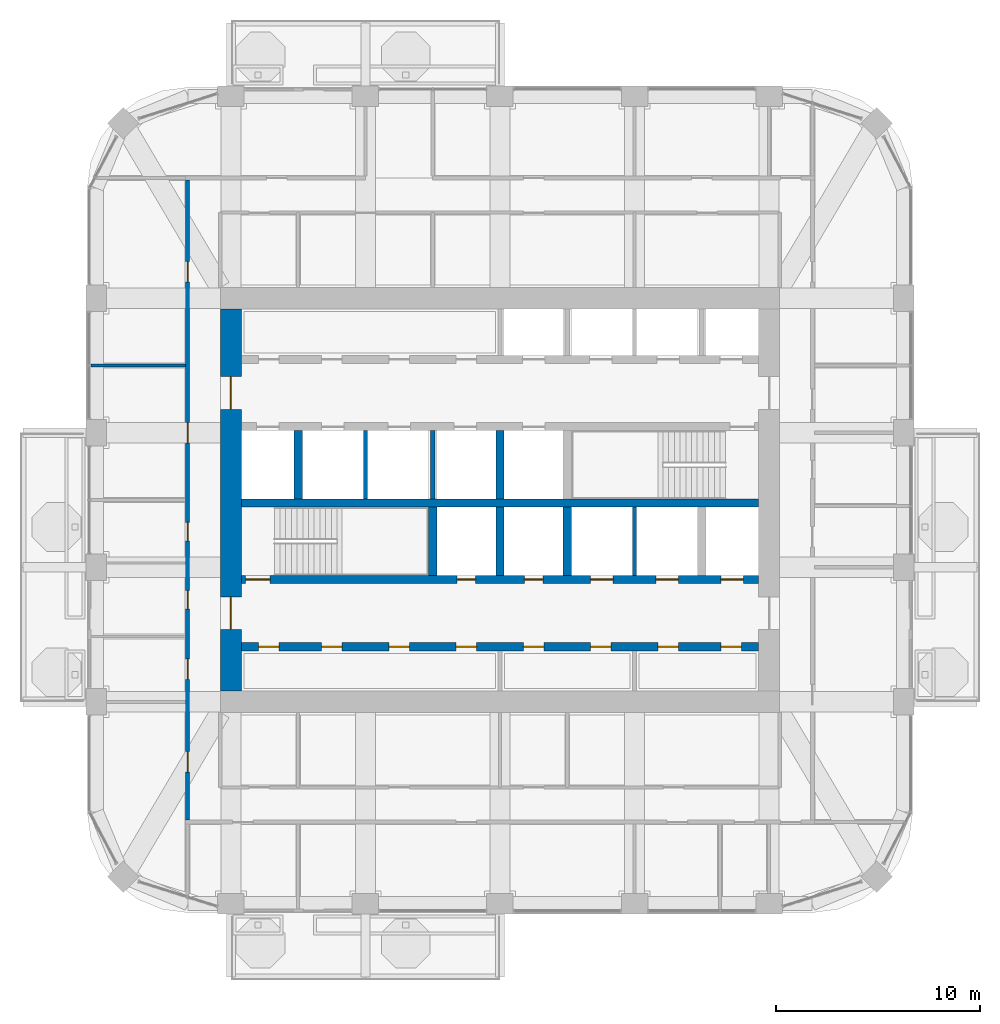
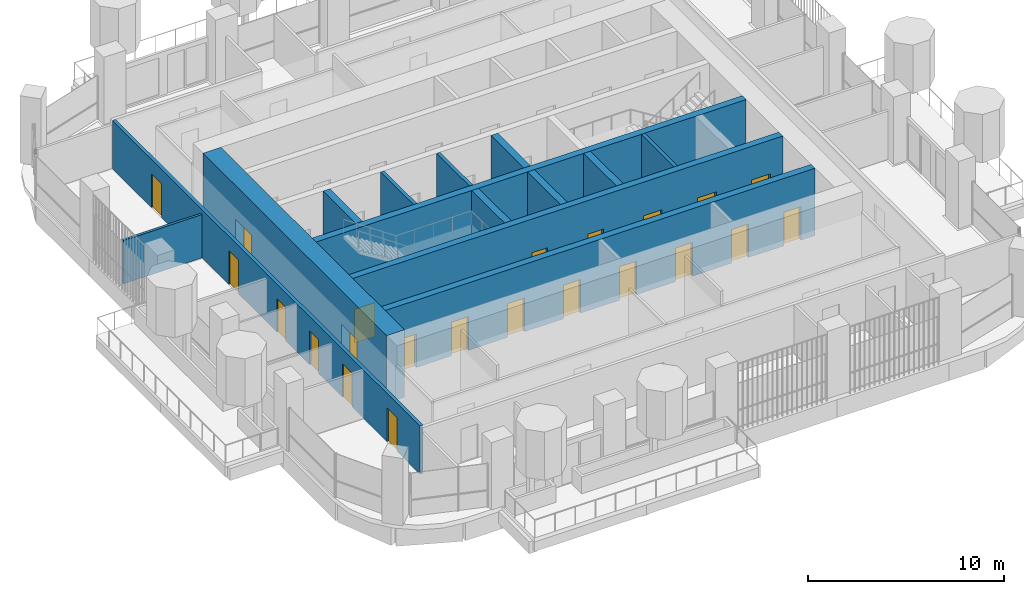
# One storey, part 12 of 19: 22 doors, 14 walls, 22 openings.
"""IFC4 building model written with IfcOpenShell, lengths in metres."""

from ifc_helpers import new_model, si_unit, direction, frame, frame_2d, origin, place, context, subcontext, project, spatial, rectangle, extrude, material, layer, layer_set, type_object, element, fill, save


model = new_model("IFC4")

# Units and contexts
model_context = context("Model", 3, precision=1e-05, world=origin(), true_north=direction((0.0, 1.0)))
body_context = subcontext(model_context, "Body", "Model", "MODEL_VIEW")
ifc_project = project(units=[si_unit("LENGTHUNIT", "METRE"), si_unit("AREAUNIT", "SQUARE_METRE"), si_unit("VOLUMEUNIT", "CUBIC_METRE"), si_unit("PLANEANGLEUNIT", "RADIAN"), si_unit("MASSUNIT", "GRAM", prefix="KILO")], contexts=[model_context])

# Site, building, storey
site_placement = place(None, origin())
site = spatial("IfcSite", under=ifc_project, at=site_placement, CompositionType="ELEMENT")
building_placement = place(site_placement, origin())
building = spatial("IfcBuilding", under=site, at=building_placement, Name="Cobogo Forest Laboratory Tower", CompositionType="ELEMENT")
storey_placement = place(building_placement, frame((0.0, 0.0, 237.60009765625)))
storey = spatial("IfcBuildingStorey", under=building, at=storey_placement, Name="L54", CompositionType="ELEMENT", Elevation=237.60009765625)

# Wall, openings, doors
ifc_material_1 = material(Name="Concrete HA-50 (C50/60)", Category="concrete")
ifc_layer_1 = layer(ifc_material_1, 0.39990234375)
ifc_layer_set_1 = layer_set([ifc_layer_1], Name="CI400 core inner wall 400")
wall_type_1 = type_object("IfcWallType", Name="CI400 core inner wall 400", PredefinedType="SHEAR", material=ifc_layer_set_1)
wall_1_placement = place(storey_placement, frame((13.72509765625, 15.89990234375, 0.0), z_axis=(0.0, 0.0, 1.0), x_axis=(1.0, 0.0, 0.0)))
wall_1 = element("IfcWall", 1, at=wall_1_placement, inside=storey, type_object=wall_type_1, Name="Core wall CI-15.9 L54", PredefinedType="SHEAR", context=body_context, shape_type="SweptSolid", body=[
    extrude(rectangle(XDim=25.349853515625, YDim=0.39990234375, at=frame_2d((12.6748046875, 0.0))), origin(), (0.0, 0.0, 1.0), 4.199951171875),
])
opening_1_placement = place(wall_1_placement, frame((0.83740234375, 0.0, 0.0)))
opening_1 = element("IfcOpeningElement", 2, at=opening_1_placement, cuts=wall_1, Name="Opening L54-D14", PredefinedType="OPENING", context=body_context, shape_type="SweptSolid", body=[
    extrude(rectangle(XDim=1.0, YDim=2.10009765625, at=frame_2d((0.5, 1.050048828125))), frame((0.0, 0.2099609375, 0.0), z_axis=(0.0, -1.0, 0.0), x_axis=(1.0, 0.0, 0.0)), (0.0, 0.0, 1.0), 0.419921875),
])
opening_2_placement = place(wall_1_placement, frame((3.925048828125, 0.0, 0.0)))
opening_2 = element("IfcOpeningElement", 3, at=opening_2_placement, cuts=wall_1, Name="Opening L54-D15", PredefinedType="OPENING", context=body_context, shape_type="SweptSolid", body=[
    extrude(rectangle(XDim=1.0, YDim=2.10009765625, at=frame_2d((0.5, 1.050048828125))), frame((0.0, 0.2099609375, 0.0), z_axis=(0.0, -1.0, 0.0), x_axis=(1.0, 0.0, 0.0)), (0.0, 0.0, 1.0), 0.419921875),
])
opening_3_placement = place(wall_1_placement, frame((7.22509765625, 0.0, 0.0)))
opening_3 = element("IfcOpeningElement", 4, at=opening_3_placement, cuts=wall_1, Name="Opening L54-D16", PredefinedType="OPENING", context=body_context, shape_type="SweptSolid", body=[
    extrude(rectangle(XDim=1.0, YDim=2.10009765625, at=frame_2d((0.5, 1.050048828125))), frame((0.0, 0.2099609375, 0.0), z_axis=(0.0, -1.0, 0.0), x_axis=(1.0, 0.0, 0.0)), (0.0, 0.0, 1.0), 0.419921875),
])
opening_4_placement = place(wall_1_placement, frame((10.52490234375, 0.0, 0.0)))
opening_4 = element("IfcOpeningElement", 5, at=opening_4_placement, cuts=wall_1, Name="Opening L54-D17", PredefinedType="OPENING", context=body_context, shape_type="SweptSolid", body=[
    extrude(rectangle(XDim=1.0, YDim=2.10009765625, at=frame_2d((0.5, 1.050048828125))), frame((0.0, 0.2099609375, 0.0), z_axis=(0.0, -1.0, 0.0), x_axis=(1.0, 0.0, 0.0)), (0.0, 0.0, 1.0), 0.419921875),
])
opening_5_placement = place(wall_1_placement, frame((13.824951171875, 0.0, 0.0)))
opening_5 = element("IfcOpeningElement", 6, at=opening_5_placement, cuts=wall_1, Name="Opening L54-D18", PredefinedType="OPENING", context=body_context, shape_type="SweptSolid", body=[
    extrude(rectangle(XDim=1.0, YDim=2.10009765625, at=frame_2d((0.5, 1.050048828125))), frame((0.0, 0.2099609375, 0.0), z_axis=(0.0, -1.0, 0.0), x_axis=(1.0, 0.0, 0.0)), (0.0, 0.0, 1.0), 0.419921875),
])
opening_6_placement = place(wall_1_placement, frame((17.125, 0.0, 0.0)))
opening_6 = element("IfcOpeningElement", 7, at=opening_6_placement, cuts=wall_1, Name="Opening L54-D19", PredefinedType="OPENING", context=body_context, shape_type="SweptSolid", body=[
    extrude(rectangle(XDim=1.0, YDim=2.10009765625, at=frame_2d((0.5, 1.050048828125))), frame((0.0, 0.2099609375, 0.0), z_axis=(0.0, -1.0, 0.0), x_axis=(1.0, 0.0, 0.0)), (0.0, 0.0, 1.0), 0.419921875),
])
opening_7_placement = place(wall_1_placement, frame((20.425048828125, 0.0, 0.0)))
opening_7 = element("IfcOpeningElement", 8, at=opening_7_placement, cuts=wall_1, Name="Opening L54-D20", PredefinedType="OPENING", context=body_context, shape_type="SweptSolid", body=[
    extrude(rectangle(XDim=1.0, YDim=2.10009765625, at=frame_2d((0.5, 1.050048828125))), frame((0.0, 0.2099609375, 0.0), z_axis=(0.0, -1.0, 0.0), x_axis=(1.0, 0.0, 0.0)), (0.0, 0.0, 1.0), 0.419921875),
])
opening_8_placement = place(wall_1_placement, frame((23.512451171875, 0.0, 0.0)))
opening_8 = element("IfcOpeningElement", 9, at=opening_8_placement, cuts=wall_1, Name="Opening L54-D21", PredefinedType="OPENING", context=body_context, shape_type="SweptSolid", body=[
    extrude(rectangle(XDim=1.0, YDim=2.10009765625, at=frame_2d((0.5, 1.050048828125))), frame((0.0, 0.2099609375, 0.0), z_axis=(0.0, -1.0, 0.0), x_axis=(1.0, 0.0, 0.0)), (0.0, 0.0, 1.0), 0.419921875),
])
ifc_material_2 = material(Name="Steel fire door", Category="steel")
door_type_1 = type_object("IfcDoorType", Name="FD1 fire door 1000 EI2 60", OperationType="SINGLE_SWING_LEFT", PredefinedType="DOOR", material=ifc_material_2)
door_1_placement = place(opening_1_placement, origin())
door_1 = element("IfcDoor", 10, at=door_1_placement, inside=storey, type_object=door_type_1, Name="Door L54-SH-LA1", OperationType="SINGLE_SWING_LEFT", OverallHeight=2.10009765625, OverallWidth=1.0, PredefinedType="DOOR", context=body_context, shape_type="SweptSolid", body=[
    extrude(rectangle(XDim=1.0, YDim=2.10009765625, at=frame_2d((0.5, 1.050048828125))), frame((0.0, 0.02490234375, 0.0), z_axis=(0.0, -1.0, 0.0), x_axis=(1.0, 0.0, 0.0)), (0.0, 0.0, 1.0), 0.050048828125),
])
fill(opening_1, door_1)
door_2_placement = place(opening_2_placement, origin())
door_2 = element("IfcDoor", 11, at=door_2_placement, inside=storey, type_object=door_type_1, Name="Door L54-SH-LA2", OperationType="SINGLE_SWING_LEFT", OverallHeight=2.10009765625, OverallWidth=1.0, PredefinedType="DOOR", context=body_context, shape_type="SweptSolid", body=[
    extrude(rectangle(XDim=1.0, YDim=2.10009765625, at=frame_2d((0.5, 1.050048828125))), frame((0.0, 0.02490234375, 0.0), z_axis=(0.0, -1.0, 0.0), x_axis=(1.0, 0.0, 0.0)), (0.0, 0.0, 1.0), 0.050048828125),
])
fill(opening_2, door_2)
door_3_placement = place(opening_3_placement, origin())
door_3 = element("IfcDoor", 12, at=door_3_placement, inside=storey, type_object=door_type_1, Name="Door L54-SH-LA3", OperationType="SINGLE_SWING_LEFT", OverallHeight=2.10009765625, OverallWidth=1.0, PredefinedType="DOOR", context=body_context, shape_type="SweptSolid", body=[
    extrude(rectangle(XDim=1.0, YDim=2.10009765625, at=frame_2d((0.5, 1.050048828125))), frame((0.0, 0.02490234375, 0.0), z_axis=(0.0, -1.0, 0.0), x_axis=(1.0, 0.0, 0.0)), (0.0, 0.0, 1.0), 0.050048828125),
])
fill(opening_3, door_3)
door_4_placement = place(opening_4_placement, origin())
door_4 = element("IfcDoor", 13, at=door_4_placement, inside=storey, type_object=door_type_1, Name="Door L54-SH-LA4", OperationType="SINGLE_SWING_LEFT", OverallHeight=2.10009765625, OverallWidth=1.0, PredefinedType="DOOR", context=body_context, shape_type="SweptSolid", body=[
    extrude(rectangle(XDim=1.0, YDim=2.10009765625, at=frame_2d((0.5, 1.050048828125))), frame((0.0, 0.02490234375, 0.0), z_axis=(0.0, -1.0, 0.0), x_axis=(1.0, 0.0, 0.0)), (0.0, 0.0, 1.0), 0.050048828125),
])
fill(opening_4, door_4)
door_5_placement = place(opening_5_placement, origin())
door_5 = element("IfcDoor", 14, at=door_5_placement, inside=storey, type_object=door_type_1, Name="Door L54-SH-LB1", OperationType="SINGLE_SWING_RIGHT", OverallHeight=2.10009765625, OverallWidth=1.0, PredefinedType="DOOR", context=body_context, shape_type="SweptSolid", body=[
    extrude(rectangle(XDim=1.0, YDim=2.10009765625, at=frame_2d((0.5, 1.050048828125))), frame((0.0, 0.02490234375, 0.0), z_axis=(0.0, -1.0, 0.0), x_axis=(1.0, 0.0, 0.0)), (0.0, 0.0, 1.0), 0.050048828125),
])
fill(opening_5, door_5)
door_6_placement = place(opening_6_placement, origin())
door_6 = element("IfcDoor", 15, at=door_6_placement, inside=storey, type_object=door_type_1, Name="Door L54-SH-LB2", OperationType="SINGLE_SWING_RIGHT", OverallHeight=2.10009765625, OverallWidth=1.0, PredefinedType="DOOR", context=body_context, shape_type="SweptSolid", body=[
    extrude(rectangle(XDim=1.0, YDim=2.10009765625, at=frame_2d((0.5, 1.050048828125))), frame((0.0, 0.02490234375, 0.0), z_axis=(0.0, -1.0, 0.0), x_axis=(1.0, 0.0, 0.0)), (0.0, 0.0, 1.0), 0.050048828125),
])
fill(opening_6, door_6)
door_7_placement = place(opening_7_placement, origin())
door_7 = element("IfcDoor", 16, at=door_7_placement, inside=storey, type_object=door_type_1, Name="Door L54-SH-LB3", OperationType="SINGLE_SWING_RIGHT", OverallHeight=2.10009765625, OverallWidth=1.0, PredefinedType="DOOR", context=body_context, shape_type="SweptSolid", body=[
    extrude(rectangle(XDim=1.0, YDim=2.10009765625, at=frame_2d((0.5, 1.050048828125))), frame((0.0, 0.02490234375, 0.0), z_axis=(0.0, -1.0, 0.0), x_axis=(1.0, 0.0, 0.0)), (0.0, 0.0, 1.0), 0.050048828125),
])
fill(opening_7, door_7)
door_8_placement = place(opening_8_placement, origin())
door_8 = element("IfcDoor", 17, at=door_8_placement, inside=storey, type_object=door_type_1, Name="Door L54-SH-LB4", OperationType="SINGLE_SWING_RIGHT", OverallHeight=2.10009765625, OverallWidth=1.0, PredefinedType="DOOR", context=body_context, shape_type="SweptSolid", body=[
    extrude(rectangle(XDim=1.0, YDim=2.10009765625, at=frame_2d((0.5, 1.050048828125))), frame((0.0, 0.02490234375, 0.0), z_axis=(0.0, -1.0, 0.0), x_axis=(1.0, 0.0, 0.0)), (0.0, 0.0, 1.0), 0.050048828125),
])
fill(opening_8, door_8)

wall_2_placement = place(storey_placement, frame((13.72509765625, 19.199951171875, 0.0), z_axis=(0.0, 0.0, 1.0), x_axis=(1.0, 0.0, 0.0)))
wall_2 = element("IfcWall", 18, at=wall_2_placement, inside=storey, type_object=wall_type_1, Name="Core wall CI-19.2 L54", PredefinedType="SHEAR", context=body_context, shape_type="SweptSolid", body=[
    extrude(rectangle(XDim=25.349853515625, YDim=0.39990234375, at=frame_2d((12.6748046875, 0.0))), origin(), (0.0, 0.0, 1.0), 4.199951171875),
])
opening_9_placement = place(wall_2_placement, frame((10.574951171875, 0.0, 0.0)))
opening_9 = element("IfcOpeningElement", 19, at=opening_9_placement, cuts=wall_2, Name="Opening L54-D28", PredefinedType="OPENING", context=body_context, shape_type="SweptSolid", body=[
    extrude(rectangle(XDim=0.89990234375, YDim=2.10009765625, at=frame_2d((0.449951171875, 1.050048828125))), frame((0.0, 0.2099609375, 0.0), z_axis=(0.0, -1.0, 0.0), x_axis=(1.0, 0.0, 0.0)), (0.0, 0.0, 1.0), 0.419921875),
])
opening_10_placement = place(wall_2_placement, frame((13.875, 0.0, 0.0)))
opening_10 = element("IfcOpeningElement", 20, at=opening_10_placement, cuts=wall_2, Name="Opening L54-D29", PredefinedType="OPENING", context=body_context, shape_type="SweptSolid", body=[
    extrude(rectangle(XDim=0.89990234375, YDim=2.10009765625, at=frame_2d((0.449951171875, 1.050048828125))), frame((0.0, 0.2099609375, 0.0), z_axis=(0.0, -1.0, 0.0), x_axis=(1.0, 0.0, 0.0)), (0.0, 0.0, 1.0), 0.419921875),
])
opening_11_placement = place(wall_2_placement, frame((0.199951171875, 0.0, 0.0)))
opening_11 = element("IfcOpeningElement", 21, at=opening_11_placement, cuts=wall_2, Name="Opening L54-D27", PredefinedType="OPENING", context=body_context, shape_type="SweptSolid", body=[
    extrude(rectangle(XDim=1.199951171875, YDim=2.10009765625, at=frame_2d((0.60009765625, 1.050048828125))), frame((0.0, 0.2099609375, 0.0), z_axis=(0.0, -1.0, 0.0), x_axis=(1.0, 0.0, 0.0)), (0.0, 0.0, 1.0), 0.419921875),
])
opening_12_placement = place(wall_2_placement, frame((23.512451171875, 0.0, 0.0)))
opening_12 = element("IfcOpeningElement", 22, at=opening_12_placement, cuts=wall_2, Name="Opening L54-LD-FL2", PredefinedType="OPENING", context=body_context, shape_type="SweptSolid", body=[
    extrude(rectangle(XDim=1.10009765625, YDim=2.10009765625, at=frame_2d((0.550048828125, 1.050048828125))), frame((0.0, 0.2099609375, 0.0), z_axis=(0.0, -1.0, 0.0), x_axis=(1.0, 0.0, 0.0)), (0.0, 0.0, 1.0), 0.419921875),
])
opening_13_placement = place(wall_2_placement, frame((17.125, 0.0, 0.0)))
opening_13 = element("IfcOpeningElement", 23, at=opening_13_placement, cuts=wall_2, Name="Opening L54-LD-LS1", PredefinedType="OPENING", context=body_context, shape_type="SweptSolid", body=[
    extrude(rectangle(XDim=1.10009765625, YDim=2.10009765625, at=frame_2d((0.550048828125, 1.050048828125))), frame((0.0, 0.2099609375, 0.0), z_axis=(0.0, -1.0, 0.0), x_axis=(1.0, 0.0, 0.0)), (0.0, 0.0, 1.0), 0.419921875),
])
opening_14_placement = place(wall_2_placement, frame((20.324951171875, 0.0, 0.0)))
opening_14 = element("IfcOpeningElement", 24, at=opening_14_placement, cuts=wall_2, Name="Opening L54-LD-LS2", PredefinedType="OPENING", context=body_context, shape_type="SweptSolid", body=[
    extrude(rectangle(XDim=1.10009765625, YDim=2.10009765625, at=frame_2d((0.550048828125, 1.050048828125))), frame((0.0, 0.2099609375, 0.0), z_axis=(0.0, -1.0, 0.0), x_axis=(1.0, 0.0, 0.0)), (0.0, 0.0, 1.0), 0.419921875),
])
door_type_2 = type_object("IfcDoorType", Name="DS1 protected stair door 1200 EI2 60", OperationType="SINGLE_SWING_LEFT", PredefinedType="DOOR", material=ifc_material_2)
door_9_placement = place(opening_11_placement, origin())
door_9 = element("IfcDoor", 25, at=door_9_placement, inside=storey, type_object=door_type_2, Name="Door L54-ST1", OperationType="SINGLE_SWING_LEFT", OverallHeight=2.10009765625, OverallWidth=1.199951171875, PredefinedType="DOOR", context=body_context, shape_type="SweptSolid", body=[
    extrude(rectangle(XDim=1.199951171875, YDim=2.10009765625, at=frame_2d((0.60009765625, 1.050048828125))), frame((0.0, 0.02490234375, 0.0), z_axis=(0.0, -1.0, 0.0), x_axis=(1.0, 0.0, 0.0)), (0.0, 0.0, 1.0), 0.050048828125),
])
fill(opening_11, door_9)
door_type_3 = type_object("IfcDoorType", Name="FD4 riser access door 900 EI2 60", OperationType="SINGLE_SWING_LEFT", PredefinedType="DOOR", material=ifc_material_2)
door_10_placement = place(opening_9_placement, origin())
door_10 = element("IfcDoor", 26, at=door_10_placement, inside=storey, type_object=door_type_3, Name="Door L54-R1", OperationType="SINGLE_SWING_LEFT", OverallHeight=2.10009765625, OverallWidth=0.89990234375, PredefinedType="DOOR", context=body_context, shape_type="SweptSolid", body=[
    extrude(rectangle(XDim=0.89990234375, YDim=2.10009765625, at=frame_2d((0.449951171875, 1.050048828125))), frame((0.0, 0.02490234375, 0.0), z_axis=(0.0, -1.0, 0.0), x_axis=(1.0, 0.0, 0.0)), (0.0, 0.0, 1.0), 0.050048828125),
])
fill(opening_9, door_10)
door_11_placement = place(opening_10_placement, origin())
door_11 = element("IfcDoor", 27, at=door_11_placement, inside=storey, type_object=door_type_3, Name="Door L54-R2", OperationType="SINGLE_SWING_RIGHT", OverallHeight=2.10009765625, OverallWidth=0.89990234375, PredefinedType="DOOR", context=body_context, shape_type="SweptSolid", body=[
    extrude(rectangle(XDim=0.89990234375, YDim=2.10009765625, at=frame_2d((0.449951171875, 1.050048828125))), frame((0.0, 0.02490234375, 0.0), z_axis=(0.0, -1.0, 0.0), x_axis=(1.0, 0.0, 0.0)), (0.0, 0.0, 1.0), 0.050048828125),
])
fill(opening_10, door_11)
ifc_material_3 = material(Name="Stainless steel lift door", Category="steel")
door_type_4 = type_object("IfcDoorType", Name="LD lift landing door 1100", OperationType="DOUBLE_DOOR_SLIDING", PredefinedType="DOOR", material=ifc_material_3)
door_12_placement = place(opening_12_placement, origin())
door_12 = element("IfcDoor", 28, at=door_12_placement, inside=storey, type_object=door_type_4, Name="Lift landing door FL2 L54", OperationType="DOUBLE_DOOR_SLIDING", OverallHeight=2.10009765625, OverallWidth=1.10009765625, PredefinedType="DOOR", context=body_context, shape_type="SweptSolid", body=[
    extrude(rectangle(XDim=1.10009765625, YDim=2.10009765625, at=frame_2d((0.550048828125, 1.050048828125))), frame((0.0, 0.02490234375, 0.0), z_axis=(0.0, -1.0, 0.0), x_axis=(1.0, 0.0, 0.0)), (0.0, 0.0, 1.0), 0.050048828125),
])
fill(opening_12, door_12)
door_13_placement = place(opening_13_placement, origin())
door_13 = element("IfcDoor", 29, at=door_13_placement, inside=storey, type_object=door_type_4, Name="Lift landing door LS1 L54", OperationType="DOUBLE_DOOR_SLIDING", OverallHeight=2.10009765625, OverallWidth=1.10009765625, PredefinedType="DOOR", context=body_context, shape_type="SweptSolid", body=[
    extrude(rectangle(XDim=1.10009765625, YDim=2.10009765625, at=frame_2d((0.550048828125, 1.050048828125))), frame((0.0, 0.02490234375, 0.0), z_axis=(0.0, -1.0, 0.0), x_axis=(1.0, 0.0, 0.0)), (0.0, 0.0, 1.0), 0.050048828125),
])
fill(opening_13, door_13)
door_14_placement = place(opening_14_placement, origin())
door_14 = element("IfcDoor", 30, at=door_14_placement, inside=storey, type_object=door_type_4, Name="Lift landing door LS2 L54", OperationType="DOUBLE_DOOR_SLIDING", OverallHeight=2.10009765625, OverallWidth=1.10009765625, PredefinedType="DOOR", context=body_context, shape_type="SweptSolid", body=[
    extrude(rectangle(XDim=1.10009765625, YDim=2.10009765625, at=frame_2d((0.550048828125, 1.050048828125))), frame((0.0, 0.02490234375, 0.0), z_axis=(0.0, -1.0, 0.0), x_axis=(1.0, 0.0, 0.0)), (0.0, 0.0, 1.0), 0.050048828125),
])
fill(opening_14, door_14)

# Walls
wall_3_placement = place(storey_placement, frame((13.72509765625, 22.949951171875, 0.0), z_axis=(0.0, 0.0, 1.0), x_axis=(1.0, 0.0, 0.0)))
element("IfcWall", 31, at=wall_3_placement, inside=storey, type_object=wall_type_1, Name="Core wall CI-22.95 L54", PredefinedType="SHEAR", context=body_context, shape_type="SweptSolid", body=[
    extrude(rectangle(XDim=25.349853515625, YDim=0.39990234375, at=frame_2d((12.6748046875, 0.0))), origin(), (0.0, 0.0, 1.0), 4.199951171875),
])
for number, where, z_axis, x_axis, name in (
    (32, (23.10009765625, 19.39990234375, 0.0), (0.0, 0.0, 1.0), (0.0, 1.0, 0.0), "Core wall CX-23.1 L54"),
    (33, (26.39990234375, 19.39990234375, 0.0), (0.0, 0.0, 1.0), (0.0, 1.0, 0.0), "Core wall CX-26.4S L54"),
    (34, (29.699951171875, 19.39990234375, 0.0), (0.0, 0.0, 1.0), (0.0, 1.0, 0.0), "Core wall CX-29.7S L54"),
    (35, (16.5, 23.14990234375, 0.0), (0.0, 0.0, 1.0), (0.0, 1.0, 0.0), "Core wall CX-16.5 L54"),
    (36, (26.39990234375, 23.14990234375, 0.0), (0.0, 0.0, 1.0), (0.0, 1.0, 0.0), "Core wall CX-26.4N L54"),
):
    element("IfcWall", number, at=place(storey_placement, frame(where, z_axis=z_axis, x_axis=x_axis)), inside=storey, type_object=wall_type_1, Name=name, PredefinedType="SHEAR", context=body_context, shape_type="SweptSolid", body=[
        extrude(rectangle(XDim=3.35009765625, YDim=0.39990234375, at=frame_2d((1.675048828125, 0.0))), origin(), (0.0, 0.0, 1.0), 4.199951171875),
    ])

# Wall, openings, doors
ifc_layer_2 = layer(ifc_material_1, 1.050048828125)
ifc_layer_set_2 = layer_set([ifc_layer_2], Name="CW1050 core outer wall 1050")
wall_type_2 = type_object("IfcWallType", Name="CW1050 core outer wall 1050", PredefinedType="SHEAR", material=ifc_layer_set_2)
wall_4_placement = place(storey_placement, frame((13.199951171875, 32.47509765625, 0.0), z_axis=(0.0, 0.0, 1.0), x_axis=(0.0, -1.0, 0.0)))
wall_4 = element("IfcWall", 37, at=wall_4_placement, inside=storey, type_object=wall_type_2, Name="Core wall CO-W L54", PredefinedType="SHEAR", context=body_context, shape_type="SweptSolid", body=[
    extrude(rectangle(XDim=18.75, YDim=1.050048828125, at=frame_2d((9.375, 0.0))), origin(), (0.0, 0.0, 1.0), 4.199951171875),
])
opening_15_placement = place(wall_4_placement, frame((14.125, 0.0, 0.0)))
opening_15 = element("IfcOpeningElement", 38, at=opening_15_placement, cuts=wall_4, Name="Opening L54-D24", PredefinedType="OPENING", context=body_context, shape_type="SweptSolid", body=[
    extrude(rectangle(XDim=1.60009765625, YDim=2.10009765625, at=frame_2d((0.800048828125, 1.050048828125))), frame((0.0, 0.534912109375, 0.0), z_axis=(0.0, -1.0, 0.0), x_axis=(1.0, 0.0, 0.0)), (0.0, 0.0, 1.0), 1.070068359375),
])
opening_16_placement = place(wall_4_placement, frame((3.324951171875, 0.0, 0.0)))
opening_16 = element("IfcOpeningElement", 39, at=opening_16_placement, cuts=wall_4, Name="Opening L54-D36", PredefinedType="OPENING", context=body_context, shape_type="SweptSolid", body=[
    extrude(rectangle(XDim=1.60009765625, YDim=2.10009765625, at=frame_2d((0.800048828125, 1.050048828125))), frame((0.0, 0.534912109375, 0.0), z_axis=(0.0, -1.0, 0.0), x_axis=(1.0, 0.0, 0.0)), (0.0, 0.0, 1.0), 1.070068359375),
])
door_type_5 = type_object("IfcDoorType", Name="DS2 protected lobby door pair 1600 EI2 60", OperationType="DOUBLE_DOOR_DOUBLE_SWING", PredefinedType="DOOR", material=ifc_material_2)
door_15_placement = place(opening_15_placement, origin())
door_15 = element("IfcDoor", 40, at=door_15_placement, inside=storey, type_object=door_type_5, Name="Door L54-CO-W-S", OperationType="DOUBLE_DOOR_DOUBLE_SWING", OverallHeight=2.10009765625, OverallWidth=1.60009765625, PredefinedType="DOOR", context=body_context, shape_type="SweptSolid", body=[
    extrude(rectangle(XDim=1.60009765625, YDim=2.10009765625, at=frame_2d((0.800048828125, 1.050048828125))), frame((0.0, 0.02490234375, 0.0), z_axis=(0.0, -1.0, 0.0), x_axis=(1.0, 0.0, 0.0)), (0.0, 0.0, 1.0), 0.050048828125),
])
fill(opening_15, door_15)
door_16_placement = place(opening_16_placement, origin())
door_16 = element("IfcDoor", 41, at=door_16_placement, inside=storey, type_object=door_type_5, Name="Door L54-CO-W-N", OperationType="DOUBLE_DOOR_DOUBLE_SWING", OverallHeight=2.10009765625, OverallWidth=1.60009765625, PredefinedType="DOOR", context=body_context, shape_type="SweptSolid", body=[
    extrude(rectangle(XDim=1.60009765625, YDim=2.10009765625, at=frame_2d((0.800048828125, 1.050048828125))), frame((0.0, 0.02490234375, 0.0), z_axis=(0.0, -1.0, 0.0), x_axis=(1.0, 0.0, 0.0)), (0.0, 0.0, 1.0), 0.050048828125),
])
fill(opening_16, door_16)

# Wall
ifc_material_4 = material(Name="Gypsum board on steel studs", Category="steel")
ifc_layer_3 = layer(ifc_material_4, 0.14990234375)
ifc_layer_set_3 = layer_set([ifc_layer_3], Name="PT1 laboratory partition 150")
wall_type_3 = type_object("IfcWallType", Name="PT1 laboratory partition 150", PredefinedType="PARTITIONING", material=ifc_layer_set_3)
wall_5_placement = place(storey_placement, frame((6.330078125, 29.699951171875, 0.0), z_axis=(0.0, 0.0, 1.0), x_axis=(1.0, 0.0, 0.0)))
element("IfcWall", 42, at=wall_5_placement, inside=storey, type_object=wall_type_3, Name="Partition CUT-W29.7-1 L54", PredefinedType="PARTITIONING", context=body_context, shape_type="SweptSolid", body=[
    extrude(rectangle(XDim=4.64501953125, YDim=0.14990234375, at=frame_2d((2.322509765625, 0.0))), origin(), (0.0, 0.0, 1.0), 2.699951171875),
])

# Wall, openings, doors
ifc_layer_4 = layer(ifc_material_4, 0.199951171875)
ifc_layer_set_4 = layer_set([ifc_layer_4], Name="PT2 fire-rated corridor partition 200")
wall_type_4 = type_object("IfcWallType", Name="PT2 fire-rated corridor partition 200", PredefinedType="PARTITIONING", material=ifc_layer_set_4)
wall_6_placement = place(storey_placement, frame((11.074951171875, 7.39990234375, 0.0), z_axis=(0.0, 0.0, 1.0), x_axis=(0.0, 1.0, 0.0)))
wall_6 = element("IfcWall", 43, at=wall_6_placement, inside=storey, type_object=wall_type_4, Name="Partition CORR-W L54", PredefinedType="PARTITIONING", context=body_context, shape_type="SweptSolid", body=[
    extrude(rectangle(XDim=31.400146484375, YDim=0.199951171875, at=frame_2d((15.7001953125, 0.0))), origin(), (0.0, 0.0, 1.0), 3.0),
])
opening_17_placement = place(wall_6_placement, frame((2.35009765625, 0.0, 0.0)))
opening_17 = element("IfcOpeningElement", 44, at=opening_17_placement, cuts=wall_6, Name="Opening L54-D11", PredefinedType="OPENING", context=body_context, shape_type="SweptSolid", body=[
    extrude(rectangle(XDim=1.0, YDim=2.10009765625, at=frame_2d((0.5, 1.050048828125))), frame((0.0, 0.10986328125, 0.0), z_axis=(0.0, -1.0, 0.0), x_axis=(1.0, 0.0, 0.0)), (0.0, 0.0, 1.0), 0.219970703125),
])
opening_18_placement = place(wall_6_placement, frame((6.89990234375, 0.0, 0.0)))
opening_18 = element("IfcOpeningElement", 45, at=opening_18_placement, cuts=wall_6, Name="Opening L54-D13", PredefinedType="OPENING", context=body_context, shape_type="SweptSolid", body=[
    extrude(rectangle(XDim=1.0, YDim=2.10009765625, at=frame_2d((0.5, 1.050048828125))), frame((0.0, 0.10986328125, 0.0), z_axis=(0.0, -1.0, 0.0), x_axis=(1.0, 0.0, 0.0)), (0.0, 0.0, 1.0), 0.219970703125),
])
opening_19_placement = place(wall_6_placement, frame((10.35009765625, 0.0, 0.0)))
opening_19 = element("IfcOpeningElement", 46, at=opening_19_placement, cuts=wall_6, Name="Opening L54-D26", PredefinedType="OPENING", context=body_context, shape_type="SweptSolid", body=[
    extrude(rectangle(XDim=0.89990234375, YDim=2.10009765625, at=frame_2d((0.449951171875, 1.050048828125))), frame((0.0, 0.10986328125, 0.0), z_axis=(0.0, -1.0, 0.0), x_axis=(1.0, 0.0, 0.0)), (0.0, 0.0, 1.0), 0.219970703125),
])
opening_20_placement = place(wall_6_placement, frame((13.699951171875, 0.0, 0.0)))
opening_20 = element("IfcOpeningElement", 47, at=opening_20_placement, cuts=wall_6, Name="Opening L54-D31", PredefinedType="OPENING", context=body_context, shape_type="SweptSolid", body=[
    extrude(rectangle(XDim=0.89990234375, YDim=2.10009765625, at=frame_2d((0.449951171875, 1.050048828125))), frame((0.0, 0.10986328125, 0.0), z_axis=(0.0, -1.0, 0.0), x_axis=(1.0, 0.0, 0.0)), (0.0, 0.0, 1.0), 0.219970703125),
])
opening_21_placement = place(wall_6_placement, frame((18.5, 0.0, 0.0)))
opening_21 = element("IfcOpeningElement", 48, at=opening_21_placement, cuts=wall_6, Name="Opening L54-D33", PredefinedType="OPENING", context=body_context, shape_type="SweptSolid", body=[
    extrude(rectangle(XDim=1.0, YDim=2.10009765625, at=frame_2d((0.5, 1.050048828125))), frame((0.0, 0.10986328125, 0.0), z_axis=(0.0, -1.0, 0.0), x_axis=(1.0, 0.0, 0.0)), (0.0, 0.0, 1.0), 0.219970703125),
])
opening_22_placement = place(wall_6_placement, frame((26.39990234375, 0.0, 0.0)))
opening_22 = element("IfcOpeningElement", 49, at=opening_22_placement, cuts=wall_6, Name="Opening L54-D42", PredefinedType="OPENING", context=body_context, shape_type="SweptSolid", body=[
    extrude(rectangle(XDim=1.0, YDim=2.10009765625, at=frame_2d((0.5, 1.050048828125))), frame((0.0, 0.10986328125, 0.0), z_axis=(0.0, -1.0, 0.0), x_axis=(1.0, 0.0, 0.0)), (0.0, 0.0, 1.0), 0.219970703125),
])
ifc_material_5 = material(Name="Timber fire door", Category="wood")
door_type_6 = type_object("IfcDoorType", Name="FD2 fire door 1000 EI2 30", OperationType="SINGLE_SWING_LEFT", PredefinedType="DOOR", material=ifc_material_5)
door_17_placement = place(opening_17_placement, origin())
door_17 = element("IfcDoor", 50, at=door_17_placement, inside=storey, type_object=door_type_6, Name="Door L54-W1", OperationType="SINGLE_SWING_LEFT", OverallHeight=2.10009765625, OverallWidth=1.0, PredefinedType="DOOR", context=body_context, shape_type="SweptSolid", body=[
    extrude(rectangle(XDim=1.0, YDim=2.10009765625, at=frame_2d((0.5, 1.050048828125))), frame((0.0, 0.02490234375, 0.0), z_axis=(0.0, -1.0, 0.0), x_axis=(1.0, 0.0, 0.0)), (0.0, 0.0, 1.0), 0.050048828125),
])
fill(opening_17, door_17)
door_18_placement = place(opening_21_placement, origin())
door_18 = element("IfcDoor", 51, at=door_18_placement, inside=storey, type_object=door_type_6, Name="Door L54-W2", OperationType="SINGLE_SWING_RIGHT", OverallHeight=2.10009765625, OverallWidth=1.0, PredefinedType="DOOR", context=body_context, shape_type="SweptSolid", body=[
    extrude(rectangle(XDim=1.0, YDim=2.10009765625, at=frame_2d((0.5, 1.050048828125))), frame((0.0, 0.02490234375, 0.0), z_axis=(0.0, -1.0, 0.0), x_axis=(1.0, 0.0, 0.0)), (0.0, 0.0, 1.0), 0.050048828125),
])
fill(opening_21, door_18)
door_19_placement = place(opening_22_placement, origin())
door_19 = element("IfcDoor", 52, at=door_19_placement, inside=storey, type_object=door_type_6, Name="Door L54-W3", OperationType="SINGLE_SWING_RIGHT", OverallHeight=2.10009765625, OverallWidth=1.0, PredefinedType="DOOR", context=body_context, shape_type="SweptSolid", body=[
    extrude(rectangle(XDim=1.0, YDim=2.10009765625, at=frame_2d((0.5, 1.050048828125))), frame((0.0, 0.02490234375, 0.0), z_axis=(0.0, -1.0, 0.0), x_axis=(1.0, 0.0, 0.0)), (0.0, 0.0, 1.0), 0.050048828125),
])
fill(opening_22, door_19)
door_type_7 = type_object("IfcDoorType", Name="FD3 toilet fire door 900 EI2 30", OperationType="SINGLE_SWING_LEFT", PredefinedType="DOOR", material=ifc_material_5)
door_20_placement = place(opening_19_placement, origin())
door_20 = element("IfcDoor", 53, at=door_20_placement, inside=storey, type_object=door_type_7, Name="Door L54-WCF", OperationType="SINGLE_SWING_LEFT", OverallHeight=2.10009765625, OverallWidth=0.89990234375, PredefinedType="DOOR", context=body_context, shape_type="SweptSolid", body=[
    extrude(rectangle(XDim=0.89990234375, YDim=2.10009765625, at=frame_2d((0.449951171875, 1.050048828125))), frame((0.0, 0.02490234375, 0.0), z_axis=(0.0, -1.0, 0.0), x_axis=(1.0, 0.0, 0.0)), (0.0, 0.0, 1.0), 0.050048828125),
])
fill(opening_19, door_20)
door_21_placement = place(opening_20_placement, origin())
door_21 = element("IfcDoor", 54, at=door_21_placement, inside=storey, type_object=door_type_7, Name="Door L54-WCM", OperationType="SINGLE_SWING_LEFT", OverallHeight=2.10009765625, OverallWidth=0.89990234375, PredefinedType="DOOR", context=body_context, shape_type="SweptSolid", body=[
    extrude(rectangle(XDim=0.89990234375, YDim=2.10009765625, at=frame_2d((0.449951171875, 1.050048828125))), frame((0.0, 0.02490234375, 0.0), z_axis=(0.0, -1.0, 0.0), x_axis=(1.0, 0.0, 0.0)), (0.0, 0.0, 1.0), 0.050048828125),
])
fill(opening_20, door_21)
door_type_8 = type_object("IfcDoorType", Name="FDA1 accessible toilet fire door 1000 EI2 30", OperationType="SINGLE_SWING_RIGHT", PredefinedType="DOOR", material=ifc_material_5)
door_22_placement = place(opening_18_placement, origin())
door_22 = element("IfcDoor", 55, at=door_22_placement, inside=storey, type_object=door_type_8, Name="Door L54-WCA", OperationType="SINGLE_SWING_LEFT", OverallHeight=2.10009765625, OverallWidth=1.0, PredefinedType="DOOR", context=body_context, shape_type="SweptSolid", body=[
    extrude(rectangle(XDim=1.0, YDim=2.10009765625, at=frame_2d((0.5, 1.050048828125))), frame((0.0, 0.02490234375, 0.0), z_axis=(0.0, -1.0, 0.0), x_axis=(1.0, 0.0, 0.0)), (0.0, 0.0, 1.0), 0.050048828125),
])
fill(opening_18, door_22)

# Walls
ifc_material_6 = material(Name="Concrete block", Category="concrete")
ifc_layer_5 = layer(ifc_material_6, 0.199951171875)
ifc_layer_set_5 = layer_set([ifc_layer_5], Name="SW200 lift shaft separator 200")
wall_type_5 = type_object("IfcWallType", Name="SW200 lift shaft separator 200", PredefinedType="PARTITIONING", material=ifc_layer_set_5)
for number, where, z_axis, x_axis, name in (
    (56, (33.0, 19.39990234375, 0.0), (0.0, 0.0, 1.0), (0.0, 1.0, 0.0), "Core wall SEP-M33.0 L54"),
    (57, (19.800048828125, 23.14990234375, 0.0), (0.0, 0.0, 1.0), (0.0, 1.0, 0.0), "Core wall SEP-M19.8 L54"),
    (58, (23.10009765625, 23.14990234375, 0.0), (0.0, 0.0, 1.0), (0.0, 1.0, 0.0), "Core wall SEP-M23.1 L54"),
):
    element("IfcWall", number, at=place(storey_placement, frame(where, z_axis=z_axis, x_axis=x_axis)), inside=storey, type_object=wall_type_5, Name=name, PredefinedType="PARTITIONING", context=body_context, shape_type="SweptSolid", body=[
        extrude(rectangle(XDim=3.35009765625, YDim=0.199951171875, at=frame_2d((1.675048828125, 0.0))), origin(), (0.0, 0.0, 1.0), 4.199951171875),
    ])

save(model, "model.ifc")
